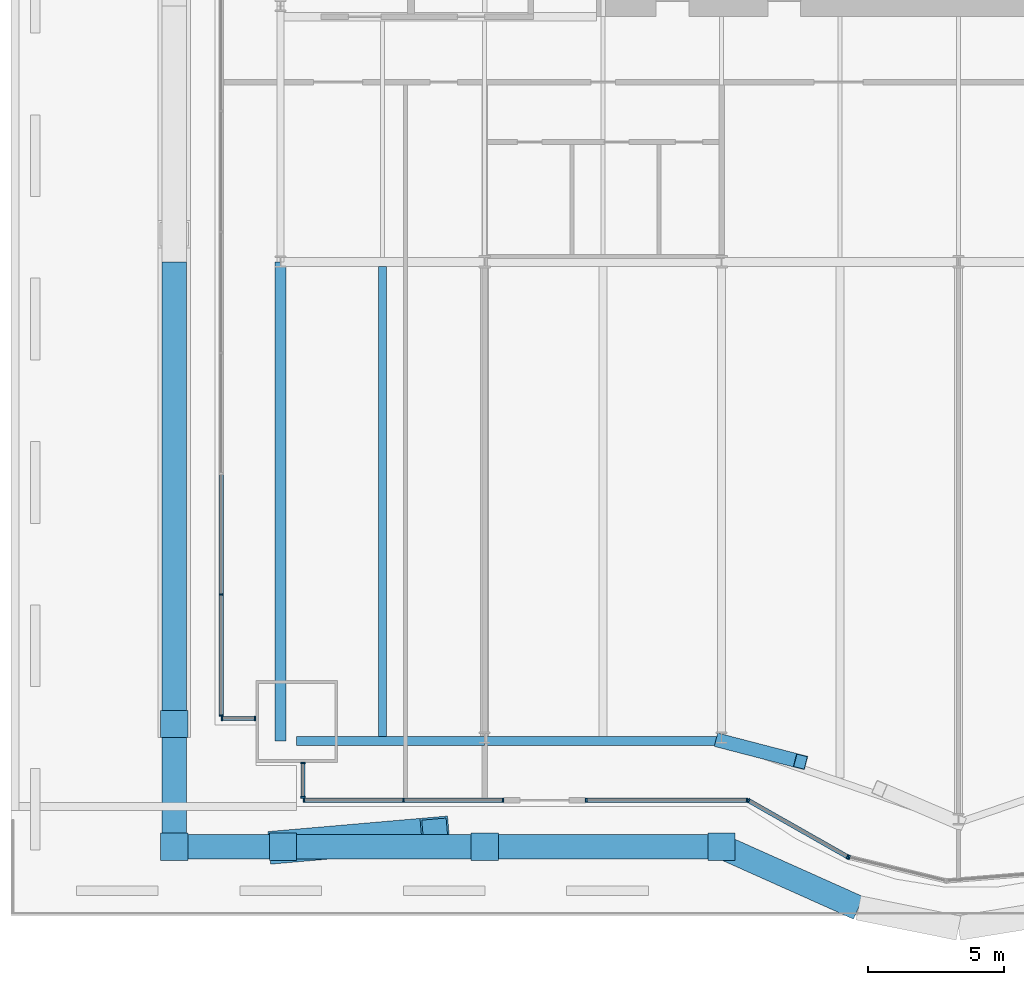
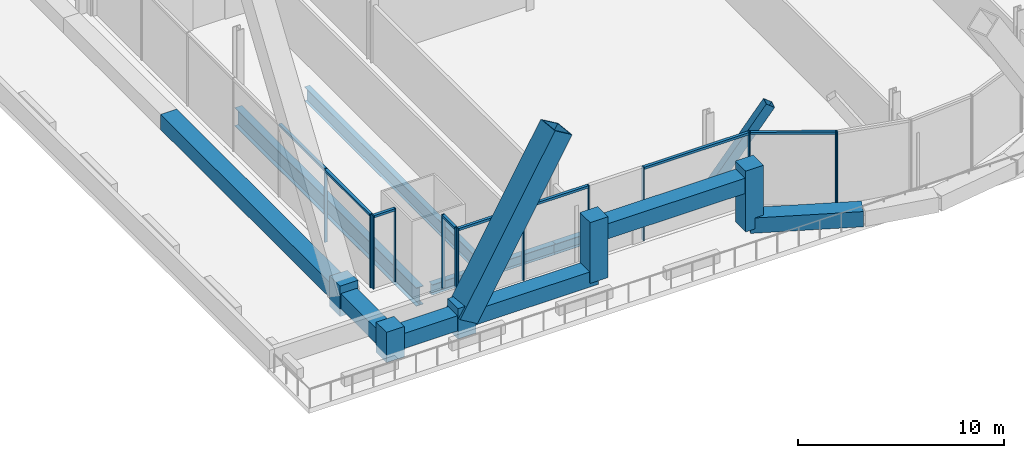
# One storey, part 4 of 29: 35 members, 4 beams, 6 elements without a shape of their own.
"""IFC4 building model written with IfcOpenShell, lengths in metres."""

from ifc_helpers import new_model, si_unit, direction, frame, origin, origin_2d, place, context, subcontext, project, spatial, rectangle, hollow_rectangle, i_section, extrude, material, material_profile, profile_set, type_object, element, aggregate, save


model = new_model("IFC4")

# Units and contexts
model_context = context("Model", 3, precision=1e-05, world=origin(), true_north=direction((0.0, 1.0)))
body_context = subcontext(model_context, "Body", "Model", "MODEL_VIEW")
ifc_project = project(units=[si_unit("LENGTHUNIT", "METRE"), si_unit("AREAUNIT", "SQUARE_METRE"), si_unit("VOLUMEUNIT", "CUBIC_METRE"), si_unit("PLANEANGLEUNIT", "RADIAN"), si_unit("MASSUNIT", "GRAM", prefix="KILO")], contexts=[model_context])

# Site, building, storey
site_placement = place(None, origin())
site = spatial("IfcSite", under=ifc_project, at=site_placement, CompositionType="ELEMENT")
building_placement = place(site_placement, origin())
building = spatial("IfcBuilding", under=site, at=building_placement, Name="Bicima Exchange Tower", CompositionType="ELEMENT")
storey_placement = place(building_placement, frame((0.0, 0.0, 35.0)))
storey = spatial("IfcBuildingStorey", under=building, at=storey_placement, Name="L06", CompositionType="ELEMENT", Elevation=35.0)

# Curtain wall, members
ifc_material_1 = material(Name="Anodised bronze aluminium", Category="aluminium")
curtain_wall_type_1 = type_object("IfcCurtainWallType", Name="End face glass wall", PredefinedType="NOTDEFINED", material=ifc_material_1)
curtain_wall_1_placement = place(storey_placement, origin())
curtain_wall_1 = element("IfcCurtainWall", 1, at=curtain_wall_1_placement, inside=storey, type_object=curtain_wall_type_1, Name="End face glass wall L06 run 2", PredefinedType="NOTDEFINED")
ifc_material_profile_1 = material_profile(ifc_material_1, rectangle(XDim=0.159912109375, YDim=0.06005859375, at=origin_2d()))
ifc_profile_set_1 = profile_set([ifc_material_profile_1], Name="Anodised bronze aluminium")
member_type_1 = type_object("IfcMemberType", Name="End face glass wall mullion 60 x 160", PredefinedType="MULLION", material=ifc_profile_set_1)
member_1_placement = place(storey_placement, frame((-35.77001953125, -34.2216796875, 0.0), z_axis=(0.0, 0.0, 1.0), x_axis=(1.0, 0.0, 0.0)))
member_1 = element("IfcMember", 2, at=member_1_placement, type_object=member_type_1, Name="End face glass wall mullion 6", PredefinedType="MULLION", context=body_context, shape_type="SweptSolid", body=[
    extrude(rectangle(XDim=0.159912109375, YDim=0.06005859375, at=origin_2d()), origin(), (0.0, 0.0, 1.0), 4.35009765625),
])
member_2_placement = place(storey_placement, frame((-35.77001953125, -38.659912109375, 0.0), z_axis=(0.0, 0.0, 1.0), x_axis=(1.0, 0.0, 0.0)))
member_2 = element("IfcMember", 3, at=member_2_placement, type_object=member_type_1, Name="End face glass wall mullion 7", PredefinedType="MULLION", context=body_context, shape_type="SweptSolid", body=[
    extrude(rectangle(XDim=0.159912109375, YDim=0.06005859375, at=origin_2d()), origin(), (0.0, 0.0, 1.0), 4.35009765625),
])
ifc_material_profile_2 = material_profile(ifc_material_1, rectangle(XDim=0.159912109375, YDim=0.139892578125, at=origin_2d()))
ifc_profile_set_2 = profile_set([ifc_material_profile_2], Name="Anodised bronze aluminium")
member_type_2 = type_object("IfcMemberType", Name="End face glass wall transom 140 x 160", PredefinedType="USERDEFINED", material=ifc_profile_set_2)
member_3_placement = place(storey_placement, frame((-35.77001953125, -29.813232421875, 4.280029296875), z_axis=(0.0, -1.0, 0.0), x_axis=(1.0, 0.0, 0.0)))
member_3 = element("IfcMember", 4, at=member_3_placement, type_object=member_type_2, Name="End face glass wall transom 5.1", ObjectType="TRANSOM", PredefinedType="USERDEFINED", context=body_context, shape_type="SweptSolid", body=[
    extrude(rectangle(XDim=0.159912109375, YDim=0.139892578125, at=origin_2d()), origin(), (0.0, 0.0, 1.0), 4.37841796875),
])
member_4_placement = place(storey_placement, frame((-35.77001953125, -34.251708984375, 4.280029296875), z_axis=(0.0, -1.0, 0.0), x_axis=(1.0, 0.0, 0.0)))
member_4 = element("IfcMember", 5, at=member_4_placement, type_object=member_type_2, Name="End face glass wall transom 6.1", ObjectType="TRANSOM", PredefinedType="USERDEFINED", context=body_context, shape_type="SweptSolid", body=[
    extrude(rectangle(XDim=0.159912109375, YDim=0.139892578125, at=origin_2d()), origin(), (0.0, 0.0, 1.0), 4.378173828125),
])
aggregate(curtain_wall_1, [member_1, member_2, member_3, member_4])

# Beam
ifc_material_2 = material(Name="Steel ASTM A992 Gr 50", Category="steel")
ifc_material_profile_3 = material_profile(ifc_material_2, i_section(OverallWidth=0.4013671875, OverallDepth=1.089599609375, WebThickness=0.01806640625, FlangeThickness=0.031005859375, at=origin_2d()))
ifc_profile_set_3 = profile_set([ifc_material_profile_3], Name="Steel ASTM A992 Gr 50")
beam_type_1 = type_object("IfcBeamType", Name="End girder W44x230", PredefinedType="BEAM", material=ifc_profile_set_3)
beam_1_placement = place(storey_placement, frame((-33.60009765625, -22.0, -0.69482421875), z_axis=(0.0, -1.0, 0.0), x_axis=(1.0, 0.0, 0.0)))
element("IfcBeam", 6, at=beam_1_placement, inside=storey, type_object=beam_type_1, Name="End girder", PredefinedType="BEAM", context=body_context, shape_type="SweptSolid", body=[
    extrude(i_section(OverallWidth=0.4013671875, OverallDepth=1.089599609375, WebThickness=0.01806640625, FlangeThickness=0.031005859375, at=origin_2d()), origin(), (0.0, 0.0, 1.0), 17.60009765625),
])

# Members
ifc_material_3 = material(Name="Steel ASTM A572 Gr 50", Category="steel")
ifc_material_profile_4 = material_profile(ifc_material_3, hollow_rectangle(XDim=0.89990234375, YDim=0.89990234375, WallThickness=0.050048828125, at=origin_2d()))
ifc_profile_set_4 = profile_set([ifc_material_profile_4], Name="Steel ASTM A572 Gr 50")
member_type_3 = type_object("IfcMemberType", Name="Exo belt ring BOX 900x900x50", PredefinedType="CHORD", material=ifc_profile_set_4)
member_5_placement = place(storey_placement, frame((-37.5, -43.4755859375, 0.449951171875), z_axis=(1.0, 0.0, 0.0), x_axis=(0.0, 1.0, 0.0)))
element("IfcMember", 7, at=member_5_placement, inside=storey, type_object=member_type_3, Name="Exo belt ring", PredefinedType="CHORD", context=body_context, shape_type="SweptSolid", body=[
    extrude(hollow_rectangle(XDim=0.89990234375, YDim=0.89990234375, WallThickness=0.050048828125, at=origin_2d()), origin(), (0.0, 0.0, 1.0), 4.0),
])
member_6_placement = place(storey_placement, frame((-33.5, -43.4755859375, 0.449951171875), z_axis=(1.0, 0.0, 0.0), x_axis=(0.0, 1.0, 0.0)))
element("IfcMember", 8, at=member_6_placement, inside=storey, type_object=member_type_3, Name="Exo belt ring", PredefinedType="CHORD", context=body_context, shape_type="SweptSolid", body=[
    extrude(hollow_rectangle(XDim=0.89990234375, YDim=0.89990234375, WallThickness=0.050048828125, at=origin_2d()), origin(), (0.0, 0.0, 1.0), 7.39990234375),
])
member_7_placement = place(storey_placement, frame((-26.10009765625, -43.4755859375, 2.949951171875), z_axis=(1.0, 0.0, 0.0), x_axis=(0.0, 1.0, 0.0)))
element("IfcMember", 9, at=member_7_placement, inside=storey, type_object=member_type_3, Name="Exo belt ring", PredefinedType="CHORD", context=body_context, shape_type="SweptSolid", body=[
    extrude(hollow_rectangle(XDim=0.89990234375, YDim=0.89990234375, WallThickness=0.050048828125, at=origin_2d()), origin(), (0.0, 0.0, 1.0), 8.7001953125),
])
member_8_placement = place(storey_placement, frame((-17.39990234375, -43.4755859375, 0.449951171875), z_axis=(0.91268161309, -0.408671350998, 0.0), x_axis=(0.408671350998, 0.91268161309, 0.0)))
element("IfcMember", 10, at=member_8_placement, inside=storey, type_object=member_type_3, Name="Exo belt ring", PredefinedType="CHORD", context=body_context, shape_type="SweptSolid", body=[
    extrude(hollow_rectangle(XDim=0.89990234375, YDim=0.89990234375, WallThickness=0.050048828125, at=origin_2d()), origin(), (0.0, 0.0, 1.0), 5.505615234375),
])
member_9_placement = place(storey_placement, frame((-37.5, -22.0, 0.449951171875), z_axis=(0.0, -1.0, 0.0), x_axis=(1.0, 0.0, 0.0)))
element("IfcMember", 11, at=member_9_placement, inside=storey, type_object=member_type_3, Name="Exo belt ring", PredefinedType="CHORD", context=body_context, shape_type="SweptSolid", body=[
    extrude(hollow_rectangle(XDim=0.89990234375, YDim=0.89990234375, WallThickness=0.050048828125, at=origin_2d()), origin(), (0.0, 0.0, 1.0), 16.9755859375),
])
member_10_placement = place(storey_placement, frame((-37.5, -38.9755859375, 0.449951171875), z_axis=(0.0, -1.0, 0.0), x_axis=(1.0, 0.0, 0.0)))
element("IfcMember", 12, at=member_10_placement, inside=storey, type_object=member_type_3, Name="Exo belt ring", PredefinedType="CHORD", context=body_context, shape_type="SweptSolid", body=[
    extrude(hollow_rectangle(XDim=0.89990234375, YDim=0.89990234375, WallThickness=0.050048828125, at=origin_2d()), origin(), (0.0, 0.0, 1.0), 4.5),
])
ifc_material_profile_5 = material_profile(ifc_material_3, hollow_rectangle(XDim=1.199951171875, YDim=1.199951171875, WallThickness=0.070068359375, at=origin_2d()))
ifc_profile_set_5 = profile_set([ifc_material_profile_5], Name="Steel ASTM A572 Gr 50")
member_type_4 = type_object("IfcMemberType", Name="Exo mega brace BOX 1200x1200x70", PredefinedType="BRACE", material=ifc_profile_set_5)
member_11_placement = place(storey_placement, frame((-33.5, -43.4755859375, 0.449951171875), z_axis=(0.529787675705, 0.045915395218, 0.84688653027), x_axis=(-0.086343872114, 0.996265394234, 0.0)))
element("IfcMember", 13, at=member_11_placement, inside=storey, type_object=member_type_4, Name="Exo mega brace front", PredefinedType="BRACE", context=body_context, shape_type="SweptSolid", body=[
    extrude(hollow_rectangle(XDim=1.199951171875, YDim=1.199951171875, WallThickness=0.070068359375, at=origin_2d()), origin(), (0.0, 0.0, 1.0), 10.53857421875),
])
ifc_material_4 = material(Name="Cast steel ASTM A216 Gr WCB", Category="steel")
ifc_material_profile_6 = material_profile(ifc_material_4, rectangle(XDim=1.0, YDim=1.0, at=origin_2d()))
ifc_profile_set_6 = profile_set([ifc_material_profile_6], Name="Cast steel ASTM A216 Gr WCB")
member_type_5 = type_object("IfcMemberType", Name="Exo node block", PredefinedType="POST", material=ifc_profile_set_6)
for number, where, z_axis, x_axis, name in (
    (14, (-26.10009765625, -43.4755859375, 0.25), (0.0, 0.0, 1.0), (1.0, 0.0, 0.0), "Exo node block"),
    (15, (-17.39990234375, -43.4755859375, 0.25), (0.0, 0.0, 1.0), (1.0, 0.0, 0.0), "Exo node block"),
):
    element("IfcMember", number, at=place(storey_placement, frame(where, z_axis=z_axis, x_axis=x_axis)), inside=storey, type_object=member_type_5, Name=name, PredefinedType="POST", context=body_context, shape_type="SweptSolid", body=[
        extrude(rectangle(XDim=1.0, YDim=1.0, at=origin_2d()), origin(), (0.0, 0.0, 1.0), 3.60009765625),
    ])
for number, where, z_axis, x_axis, name in (
    (16, (-37.5, -43.4755859375, -0.449951171875), (0.0, 0.0, 1.0), (1.0, 0.0, 0.0), "Exo node block"),
    (17, (-33.5, -43.4755859375, -0.449951171875), (0.0, 0.0, 1.0), (1.0, 0.0, 0.0), "Exo node block"),
    (18, (-37.5, -38.9755859375, -0.449951171875), (0.0, 0.0, 1.0), (1.0, 0.0, 0.0), "Exo node block"),
):
    element("IfcMember", number, at=place(storey_placement, frame(where, z_axis=z_axis, x_axis=x_axis)), inside=storey, type_object=member_type_5, Name=name, PredefinedType="POST", context=body_context, shape_type="SweptSolid", body=[
        extrude(rectangle(XDim=1.0, YDim=1.0, at=origin_2d()), origin(), (0.0, 0.0, 1.0), 1.800048828125),
    ])

# Beams
ifc_material_profile_7 = material_profile(ifc_material_2, i_section(OverallWidth=0.2919921875, OverallDepth=0.835693359375, WebThickness=0.013916015625, FlangeThickness=0.018798828125, at=origin_2d()))
ifc_profile_set_7 = profile_set([ifc_material_profile_7], Name="Steel ASTM A992 Gr 50")
beam_type_2 = type_object("IfcBeamType", Name="Floor beam W33x118", PredefinedType="JOIST", material=ifc_profile_set_7)
beam_2_placement = place(storey_placement, frame((-29.85009765625, -22.16259765625, -0.56787109375), z_axis=(0.0, -1.0, 0.0), x_axis=(1.0, 0.0, 0.0)))
element("IfcBeam", 19, at=beam_2_placement, inside=storey, type_object=beam_type_2, Name="Floor beam", PredefinedType="JOIST", context=body_context, shape_type="SweptSolid", body=[
    extrude(i_section(OverallWidth=0.2919921875, OverallDepth=0.835693359375, WebThickness=0.013916015625, FlangeThickness=0.018798828125, at=origin_2d()), origin(), (0.0, 0.0, 1.0), 17.27490234375),
])
ifc_material_profile_8 = material_profile(ifc_material_2, i_section(OverallWidth=0.3251953125, OverallDepth=0.612060546875, WebThickness=0.0126953125, FlangeThickness=0.01904296875, at=origin_2d()))
ifc_profile_set_8 = profile_set([ifc_material_profile_8], Name="Steel ASTM A992 Gr 50")
beam_type_3 = type_object("IfcBeamType", Name="Front girder W24x104", PredefinedType="BEAM", material=ifc_profile_set_8)
beam_3_placement = place(storey_placement, frame((-33.0, -39.60009765625, -0.4560546875), z_axis=(1.0, 0.0, 0.0), x_axis=(0.0, 1.0, 0.0)))
element("IfcBeam", 20, at=beam_3_placement, inside=storey, type_object=beam_type_3, Name="Front girder", PredefinedType="BEAM", context=body_context, shape_type="SweptSolid", body=[
    extrude(i_section(OverallWidth=0.3251953125, OverallDepth=0.612060546875, WebThickness=0.0126953125, FlangeThickness=0.01904296875, at=origin_2d()), origin(), (0.0, 0.0, 1.0), 6.89990234375),
])
beam_4_placement = place(storey_placement, frame((-26.10009765625, -39.60009765625, -0.4560546875), z_axis=(1.0, 0.0, 0.0), x_axis=(0.0, 1.0, 0.0)))
element("IfcBeam", 21, at=beam_4_placement, inside=storey, type_object=beam_type_3, Name="Front girder", PredefinedType="BEAM", context=body_context, shape_type="SweptSolid", body=[
    extrude(i_section(OverallWidth=0.3251953125, OverallDepth=0.612060546875, WebThickness=0.0126953125, FlangeThickness=0.01904296875, at=origin_2d()), origin(), (0.0, 0.0, 1.0), 8.7001953125),
])

# Curtain wall, members
curtain_wall_type_2 = type_object("IfcCurtainWallType", Name="Front glass wall", PredefinedType="NOTDEFINED", material=ifc_material_1)
curtain_wall_2_placement = place(storey_placement, origin())
curtain_wall_2 = element("IfcCurtainWall", 22, at=curtain_wall_2_placement, inside=storey, type_object=curtain_wall_type_2, Name="Front glass wall L06 run 3", PredefinedType="NOTDEFINED")
member_type_6 = type_object("IfcMemberType", Name="Front glass wall mullion 60 x 160", PredefinedType="MULLION", material=ifc_profile_set_1)
member_12_placement = place(storey_placement, frame((-35.739990234375, -38.77001953125, 0.0), z_axis=(0.0, 0.0, 1.0), x_axis=(0.0, 1.0, 0.0)))
member_12 = element("IfcMember", 23, at=member_12_placement, type_object=member_type_6, Name="Front glass wall mullion 1", PredefinedType="MULLION", context=body_context, shape_type="SweptSolid", body=[
    extrude(rectangle(XDim=0.159912109375, YDim=0.06005859375, at=origin_2d()), origin(), (0.0, 0.0, 1.0), 4.35009765625),
])
member_13_placement = place(storey_placement, frame((-34.530029296875, -38.77001953125, 0.0), z_axis=(0.0, 0.0, 1.0), x_axis=(0.0, 1.0, 0.0)))
member_13 = element("IfcMember", 24, at=member_13_placement, type_object=member_type_6, Name="Front glass wall mullion 2", PredefinedType="MULLION", context=body_context, shape_type="SweptSolid", body=[
    extrude(rectangle(XDim=0.159912109375, YDim=0.06005859375, at=origin_2d()), origin(), (0.0, 0.0, 1.0), 4.35009765625),
])

curtain_wall_3_placement = place(storey_placement, origin())
curtain_wall_3 = element("IfcCurtainWall", 25, at=curtain_wall_3_placement, inside=storey, type_object=curtain_wall_type_2, Name="Front glass wall L06 run 4", PredefinedType="NOTDEFINED")
member_14_placement = place(storey_placement, frame((-32.77001953125, -40.407958984375, 0.0), z_axis=(0.0, 0.0, 1.0), x_axis=(1.0, 0.0, 0.0)))
member_14 = element("IfcMember", 26, at=member_14_placement, type_object=member_type_6, Name="Front glass wall mullion 1", PredefinedType="MULLION", context=body_context, shape_type="SweptSolid", body=[
    extrude(rectangle(XDim=0.159912109375, YDim=0.06005859375, at=origin_2d()), origin(), (0.0, 0.0, 1.0), 4.35009765625),
])
member_15_placement = place(storey_placement, frame((-32.77001953125, -41.659912109375, 0.0), z_axis=(0.0, 0.0, 1.0), x_axis=(1.0, 0.0, 0.0)))
member_15 = element("IfcMember", 27, at=member_15_placement, type_object=member_type_6, Name="Front glass wall mullion 2", PredefinedType="MULLION", context=body_context, shape_type="SweptSolid", body=[
    extrude(rectangle(XDim=0.159912109375, YDim=0.06005859375, at=origin_2d()), origin(), (0.0, 0.0, 1.0), 4.35009765625),
])

curtain_wall_4_placement = place(storey_placement, origin())
curtain_wall_4 = element("IfcCurtainWall", 28, at=curtain_wall_4_placement, inside=storey, type_object=curtain_wall_type_2, Name="Front glass wall L06 run 6", PredefinedType="NOTDEFINED")
member_16_placement = place(storey_placement, frame((-16.406005859375, -41.784912109375, 0.0), z_axis=(0.0, 0.0, 1.0), x_axis=(0.493395449343, 0.869805110681, 0.0)))
member_16 = element("IfcMember", 29, at=member_16_placement, type_object=member_type_6, Name="Front glass wall mullion 1", PredefinedType="MULLION", context=body_context, shape_type="SweptSolid", body=[
    extrude(rectangle(XDim=0.159912109375, YDim=0.06005859375, at=origin_2d()), origin(), (0.0, 0.0, 1.0), 4.35009765625),
])
member_17_placement = place(storey_placement, frame((-12.7734375, -43.845458984375, 0.0), z_axis=(0.0, 0.0, 1.0), x_axis=(0.493395449343, 0.869805110681, 0.0)))
member_17 = element("IfcMember", 30, at=member_17_placement, type_object=member_type_6, Name="Front glass wall mullion 2", PredefinedType="MULLION", context=body_context, shape_type="SweptSolid", body=[
    extrude(rectangle(XDim=0.159912109375, YDim=0.06005859375, at=origin_2d()), origin(), (0.0, 0.0, 1.0), 4.35009765625),
])
member_18_placement = place(storey_placement, frame((-12.718017578125, -43.8671875, 0.0), z_axis=(0.0, 0.0, 1.0), x_axis=(0.235681529503, 0.971830343553, 0.0)))
member_18 = element("IfcMember", 31, at=member_18_placement, type_object=member_type_6, Name="Front glass wall mullion 1", PredefinedType="MULLION", context=body_context, shape_type="SweptSolid", body=[
    extrude(rectangle(XDim=0.159912109375, YDim=0.06005859375, at=origin_2d()), origin(), (0.0, 0.0, 1.0), 4.35009765625),
])

curtain_wall_5_placement = place(storey_placement, origin())
curtain_wall_5 = element("IfcCurtainWall", 32, at=curtain_wall_5_placement, inside=storey, type_object=curtain_wall_type_2, Name="Front glass wall L06 run 1.1", PredefinedType="NOTDEFINED")
member_19_placement = place(storey_placement, frame((-32.739990234375, -41.77001953125, 0.0), z_axis=(0.0, 0.0, 1.0), x_axis=(0.0, 1.0, 0.0)))
member_19 = element("IfcMember", 33, at=member_19_placement, type_object=member_type_6, Name="Front glass wall mullion 1", PredefinedType="MULLION", context=body_context, shape_type="SweptSolid", body=[
    extrude(rectangle(XDim=0.159912109375, YDim=0.06005859375, at=origin_2d()), origin(), (0.0, 0.0, 1.0), 4.35009765625),
])
member_20_placement = place(storey_placement, frame((-29.0849609375, -41.77001953125, 0.0), z_axis=(0.0, 0.0, 1.0), x_axis=(0.0, 1.0, 0.0)))
member_20 = element("IfcMember", 34, at=member_20_placement, type_object=member_type_6, Name="Front glass wall mullion 2", PredefinedType="MULLION", context=body_context, shape_type="SweptSolid", body=[
    extrude(rectangle(XDim=0.159912109375, YDim=0.06005859375, at=origin_2d()), origin(), (0.0, 0.0, 1.0), 4.35009765625),
])
member_21_placement = place(storey_placement, frame((-25.429931640625, -41.77001953125, 0.0), z_axis=(0.0, 0.0, 1.0), x_axis=(0.0, 1.0, 0.0)))
member_21 = element("IfcMember", 35, at=member_21_placement, type_object=member_type_6, Name="Front glass wall mullion 3", PredefinedType="MULLION", context=body_context, shape_type="SweptSolid", body=[
    extrude(rectangle(XDim=0.159912109375, YDim=0.06005859375, at=origin_2d()), origin(), (0.0, 0.0, 1.0), 4.35009765625),
])

curtain_wall_6_placement = place(storey_placement, origin())
curtain_wall_6 = element("IfcCurtainWall", 36, at=curtain_wall_6_placement, inside=storey, type_object=curtain_wall_type_2, Name="Front glass wall L06 run 1.2", PredefinedType="NOTDEFINED")
member_22_placement = place(storey_placement, frame((-22.3701171875, -41.77001953125, 0.0), z_axis=(0.0, 0.0, 1.0), x_axis=(0.0, 1.0, 0.0)))
member_22 = element("IfcMember", 37, at=member_22_placement, type_object=member_type_6, Name="Front glass wall mullion 1", PredefinedType="MULLION", context=body_context, shape_type="SweptSolid", body=[
    extrude(rectangle(XDim=0.159912109375, YDim=0.06005859375, at=origin_2d()), origin(), (0.0, 0.0, 1.0), 4.35009765625),
])
member_23_placement = place(storey_placement, frame((-16.462158203125, -41.77001953125, 0.0), z_axis=(0.0, 0.0, 1.0), x_axis=(0.0, 1.0, 0.0)))
member_23 = element("IfcMember", 38, at=member_23_placement, type_object=member_type_6, Name="Front glass wall mullion 2", PredefinedType="MULLION", context=body_context, shape_type="SweptSolid", body=[
    extrude(rectangle(XDim=0.159912109375, YDim=0.06005859375, at=origin_2d()), origin(), (0.0, 0.0, 1.0), 4.35009765625),
])

# Member
member_type_7 = type_object("IfcMemberType", Name="Front glass wall transom 140 x 160", PredefinedType="USERDEFINED", material=ifc_profile_set_2)
member_24_placement = place(storey_placement, frame((-35.7099609375, -38.77001953125, 4.280029296875), z_axis=(1.0, 0.0, 0.0), x_axis=(0.0, 1.0, 0.0)))
member_24 = element("IfcMember", 39, at=member_24_placement, type_object=member_type_7, Name="Front glass wall transom 1.1", ObjectType="TRANSOM", PredefinedType="USERDEFINED", context=body_context, shape_type="SweptSolid", body=[
    extrude(rectangle(XDim=0.159912109375, YDim=0.139892578125, at=origin_2d()), origin(), (0.0, 0.0, 1.0), 1.14990234375),
])

aggregate(curtain_wall_2, [member_12, member_13, member_24])

member_25_placement = place(storey_placement, frame((-32.77001953125, -40.43798828125, 4.280029296875), z_axis=(0.0, -1.0, 0.0), x_axis=(1.0, 0.0, 0.0)))
member_25 = element("IfcMember", 40, at=member_25_placement, type_object=member_type_7, Name="Front glass wall transom 1.1", ObjectType="TRANSOM", PredefinedType="USERDEFINED", context=body_context, shape_type="SweptSolid", body=[
    extrude(rectangle(XDim=0.159912109375, YDim=0.139892578125, at=origin_2d()), origin(), (0.0, 0.0, 1.0), 1.19189453125),
])

aggregate(curtain_wall_3, [member_14, member_15, member_25])

member_26_placement = place(storey_placement, frame((-16.3798828125, -41.799560546875, 4.280029296875), z_axis=(0.869797371721, -0.49340909208, 0.0), x_axis=(0.49340909208, 0.869797371721, 0.0)))
member_26 = element("IfcMember", 41, at=member_26_placement, type_object=member_type_7, Name="Front glass wall transom 1.1", ObjectType="TRANSOM", PredefinedType="USERDEFINED", context=body_context, shape_type="SweptSolid", body=[
    extrude(rectangle(XDim=0.159912109375, YDim=0.139892578125, at=origin_2d()), origin(), (0.0, 0.0, 1.0), 4.1162109375),
])

aggregate(curtain_wall_4, [member_16, member_17, member_26, member_18])

member_27_placement = place(storey_placement, frame((-32.7099609375, -41.77001953125, 4.280029296875), z_axis=(1.0, 0.0, 0.0), x_axis=(0.0, 1.0, 0.0)))
member_27 = element("IfcMember", 42, at=member_27_placement, type_object=member_type_7, Name="Front glass wall transom 1.1", ObjectType="TRANSOM", PredefinedType="USERDEFINED", context=body_context, shape_type="SweptSolid", body=[
    extrude(rectangle(XDim=0.159912109375, YDim=0.139892578125, at=origin_2d()), origin(), (0.0, 0.0, 1.0), 3.594970703125),
])

member_28_placement = place(storey_placement, frame((-29.054931640625, -41.77001953125, 4.280029296875), z_axis=(1.0, 0.0, 0.0), x_axis=(0.0, 1.0, 0.0)))
member_28 = element("IfcMember", 43, at=member_28_placement, type_object=member_type_7, Name="Front glass wall transom 2.1", ObjectType="TRANSOM", PredefinedType="USERDEFINED", context=body_context, shape_type="SweptSolid", body=[
    extrude(rectangle(XDim=0.159912109375, YDim=0.139892578125, at=origin_2d()), origin(), (0.0, 0.0, 1.0), 3.594970703125),
])

aggregate(curtain_wall_5, [member_19, member_20, member_21, member_27, member_28])

member_29_placement = place(storey_placement, frame((-22.340087890625, -41.77001953125, 4.280029296875), z_axis=(1.0, 0.0, 0.0), x_axis=(0.0, 1.0, 0.0)))
member_29 = element("IfcMember", 44, at=member_29_placement, type_object=member_type_7, Name="Front glass wall transom 1.1", ObjectType="TRANSOM", PredefinedType="USERDEFINED", context=body_context, shape_type="SweptSolid", body=[
    extrude(rectangle(XDim=0.159912109375, YDim=0.139892578125, at=origin_2d()), origin(), (0.0, 0.0, 1.0), 5.847900390625),
])

aggregate(curtain_wall_6, [member_22, member_23, member_29])

ifc_material_profile_9 = material_profile(ifc_material_3, hollow_rectangle(XDim=0.508056640625, YDim=0.508056640625, WallThickness=0.017822265625, at=origin_2d()))
ifc_profile_set_9 = profile_set([ifc_material_profile_9], Name="Steel ASTM A572 Gr 50")
member_type_8 = type_object("IfcMemberType", Name="Mega brace HSS20x20x3/4", PredefinedType="BRACE", material=ifc_profile_set_9)
member_30_placement = place(storey_placement, frame((-17.39990234375, -39.60009765625, 0.0), z_axis=(0.536409154739, -0.13927309591, 0.832387063491), x_axis=(0.251307155067, 0.967907389068, 0.0)))
element("IfcMember", 45, at=member_30_placement, inside=storey, type_object=member_type_8, Name="Mega brace front", PredefinedType="BRACE", context=body_context, shape_type="SweptSolid", body=[
    extrude(hollow_rectangle(XDim=0.508056640625, YDim=0.508056640625, WallThickness=0.017822265625, at=origin_2d()), origin(), (0.0, 0.0, 1.0), 5.40625),
])

save(model, "model.ifc")
